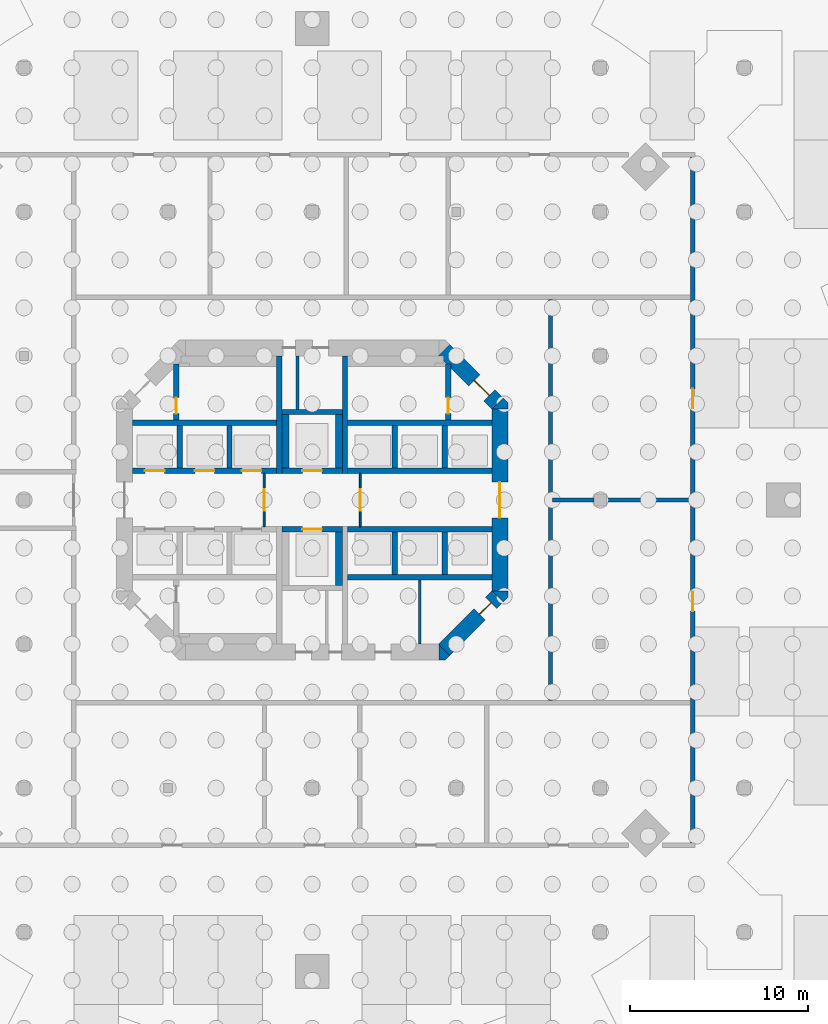
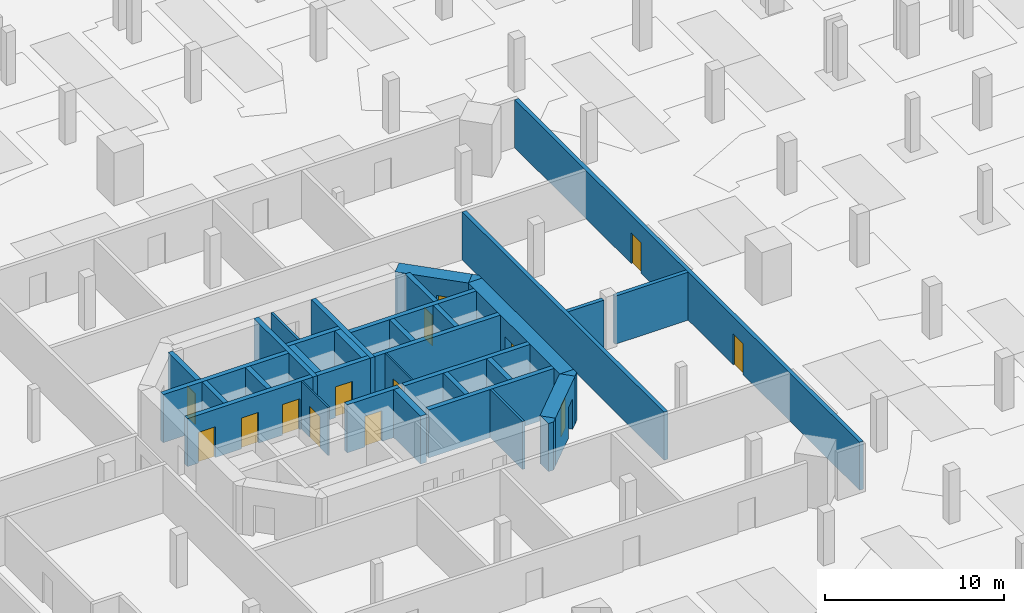
# One storey, part 14 of 23: 36 walls, 14 doors, 14 openings.
"""IFC4 building model written with IfcOpenShell, lengths in metres."""

from ifc_helpers import new_model, si_unit, direction, frame, frame_2d, origin, place, context, subcontext, project, spatial, polyline, rectangle, outline, extrude, material, layer, layer_set, type_object, element, fill, save


model = new_model("IFC4")

# Units and contexts
model_context = context("Model", 3, precision=1e-05, world=origin(), true_north=direction((0.0, 1.0)))
body_context = subcontext(model_context, "Body", "Model", "MODEL_VIEW")
ifc_project = project(units=[si_unit("LENGTHUNIT", "METRE"), si_unit("AREAUNIT", "SQUARE_METRE"), si_unit("VOLUMEUNIT", "CUBIC_METRE"), si_unit("PLANEANGLEUNIT", "RADIAN"), si_unit("MASSUNIT", "GRAM", prefix="KILO")], contexts=[model_context])

# Site, building, storey
site_placement = place(None, origin())
site = spatial("IfcSite", under=ifc_project, at=site_placement, CompositionType="ELEMENT")
building_placement = place(site_placement, origin())
building = spatial("IfcBuilding", under=site, at=building_placement, Name="Torre Triforio", CompositionType="ELEMENT")
storey_placement = place(building_placement, frame((0.0, 0.0, -10.800048828125)))
storey = spatial("IfcBuildingStorey", under=building, at=storey_placement, Name="B3", CompositionType="ELEMENT", Elevation=-10.800048828125)

# Walls
ifc_material_1 = material(Name="Concrete C60", Category="concrete")
ifc_layer_1 = layer(ifc_material_1, 0.300048828125)
ifc_layer_set_1 = layer_set([ifc_layer_1], Name="Concrete C60")
wall_type_1 = type_object("IfcWallType", Name="Core wall 300 mm C60 EI 120", PredefinedType="SHEAR", material=ifc_layer_set_1)
for number, where, z_axis, x_axis, name in (
    (1, (-1.85009765625, 1.5, 0.0), (0.0, 0.0, 1.0), (0.0, 1.0, 0.0), "Core wall"),
    (2, (1.85009765625, 1.5, 0.0), (0.0, 0.0, 1.0), (0.0, 1.0, 0.0), "Core wall"),
):
    element("IfcWall", number, at=place(storey_placement, frame(where, z_axis=z_axis, x_axis=x_axis)), inside=storey, type_object=wall_type_1, Name=name, PredefinedType="SHEAR", context=body_context, shape_type="SweptSolid", body=[
        extrude(rectangle(XDim=6.60009765625, YDim=0.300048828125, at=frame_2d((3.300048828125, 0.0))), origin(), (0.0, 0.0, 1.0), 3.280029296875),
    ])

# Wall, opening, door
ifc_layer_2 = layer(ifc_material_1, 0.89990234375)
ifc_layer_set_2 = layer_set([ifc_layer_2], Name="Concrete C60")
wall_type_2 = type_object("IfcWallType", Name="Core wall 900 mm C60 EI 120", PredefinedType="SHEAR", material=ifc_layer_set_2)
wall_1_placement = place(storey_placement, frame((10.550048828125, -5.1298828125, 0.0), z_axis=(0.0, 0.0, 1.0), x_axis=(0.0, 1.0, 0.0)))
wall_1 = element("IfcWall", 3, at=wall_1_placement, inside=storey, type_object=wall_type_2, Name="Core wall", PredefinedType="SHEAR", context=body_context, shape_type="SweptSolid", body=[
    extrude(rectangle(XDim=10.259765625, YDim=0.89990234375, at=frame_2d((5.1298828125, 0.0))), origin(), (0.0, 0.0, 1.0), 3.280029296875),
])
opening_1_placement = place(wall_1_placement, frame((4.1298828125, 0.0, 0.0)))
opening_1 = element("IfcOpeningElement", 4, at=opening_1_placement, cuts=wall_1, Name="Opening E-RING", PredefinedType="OPENING", context=body_context, shape_type="SweptSolid", body=[
    extrude(rectangle(XDim=2.0, YDim=2.10009765625, at=frame_2d((1.0, 1.050048828125))), frame((0.0, 0.4599609375, 0.0), z_axis=(0.0, -1.0, 0.0), x_axis=(1.0, 0.0, 0.0)), (0.0, 0.0, 1.0), 0.919921875),
])
ifc_material_2 = material(Name="Hollow metal fire door leaf")
door_type_1 = type_object("IfcDoorType", Name="Lobby door 2000 x 2100 EI 60", OperationType="DOUBLE_DOOR_SINGLE_SWING", PredefinedType="DOOR", material=ifc_material_2)
door_1_placement = place(opening_1_placement, origin())
door_1 = element("IfcDoor", 5, at=door_1_placement, inside=storey, type_object=door_type_1, Name="Core door E-RING", OperationType="DOUBLE_DOOR_SINGLE_SWING", OverallHeight=2.10009765625, OverallWidth=2.0, PredefinedType="DOOR", context=body_context, shape_type="SweptSolid", body=[
    extrude(rectangle(XDim=2.0, YDim=2.10009765625, at=frame_2d((1.0, 1.050048828125))), frame((0.0, 0.02490234375, 0.0), z_axis=(0.0, -1.0, 0.0), x_axis=(1.0, 0.0, 0.0)), (0.0, 0.0, 1.0), 0.050048828125),
])
fill(opening_1, door_1)

wall_2_placement = place(storey_placement, frame((7.418212890625, 8.418212890625, 0.0), z_axis=(0.0, 0.0, 1.0), x_axis=(0.707106781187, -0.707106781187, 0.0)))
wall_2 = element("IfcWall", 6, at=wall_2_placement, inside=storey, type_object=wall_type_2, Name="Core wall", PredefinedType="SHEAR", context=body_context, shape_type="SweptSolid", body=[
    extrude(rectangle(XDim=4.24267578125, YDim=0.89990234375, at=frame_2d((2.121337890625, 0.0))), origin(), (0.0, 0.0, 1.0), 3.280029296875),
])
opening_2_placement = place(wall_2_placement, frame((2.392578125, 0.0, 0.0)))
opening_2 = element("IfcOpeningElement", 7, at=opening_2_placement, cuts=wall_2, Name="Opening ST2-EXIT", PredefinedType="OPENING", context=body_context, shape_type="SweptSolid", body=[
    extrude(rectangle(XDim=1.199951171875, YDim=2.10009765625, at=frame_2d((0.60009765625, 1.050048828125))), frame((0.0, 0.4599609375, 0.0), z_axis=(0.0, -1.0, 0.0), x_axis=(1.0, 0.0, 0.0)), (0.0, 0.0, 1.0), 0.919921875),
])
door_type_2 = type_object("IfcDoorType", Name="Stair lobby door 1200 x 2100 EI 60", OperationType="NOTDEFINED", PredefinedType="DOOR", material=ifc_material_2)
door_2_placement = place(opening_2_placement, origin())
door_2 = element("IfcDoor", 8, at=door_2_placement, inside=storey, type_object=door_type_2, Name="Core door ST2-EXIT", OperationType="SINGLE_SWING_RIGHT", OverallHeight=2.10009765625, OverallWidth=1.199951171875, PredefinedType="DOOR", context=body_context, shape_type="SweptSolid", body=[
    extrude(rectangle(XDim=1.199951171875, YDim=2.10009765625, at=frame_2d((0.60009765625, 1.050048828125))), frame((0.0, 0.02490234375, 0.0), z_axis=(0.0, -1.0, 0.0), x_axis=(1.0, 0.0, 0.0)), (0.0, 0.0, 1.0), 0.050048828125),
])
fill(opening_2, door_2)

wall_3_placement = place(storey_placement, frame((10.418212890625, -5.418212890625, 0.0), z_axis=(0.0, 0.0, 1.0), x_axis=(-0.707106781187, -0.707106781187, 0.0)))
wall_3 = element("IfcWall", 9, at=wall_3_placement, inside=storey, type_object=wall_type_2, Name="Core wall", PredefinedType="SHEAR", context=body_context, shape_type="SweptSolid", body=[
    extrude(rectangle(XDim=4.24267578125, YDim=0.89990234375, at=frame_2d((2.121337890625, 0.0))), origin(), (0.0, 0.0, 1.0), 3.280029296875),
])
opening_3_placement = place(wall_3_placement, frame((0.52001953125, 0.0, 0.0)))
opening_3 = element("IfcOpeningElement", 10, at=opening_3_placement, cuts=wall_3, Name="Opening SE-02", PredefinedType="OPENING", context=body_context, shape_type="SweptSolid", body=[
    extrude(rectangle(XDim=0.89990234375, YDim=2.10009765625, at=frame_2d((0.449951171875, 1.050048828125))), frame((0.0, 0.4599609375, 0.0), z_axis=(0.0, -1.0, 0.0), x_axis=(1.0, 0.0, 0.0)), (0.0, 0.0, 1.0), 0.919921875),
])
door_type_3 = type_object("IfcDoorType", Name="Room door 900 x 2100 EI 60", OperationType="NOTDEFINED", PredefinedType="DOOR", material=ifc_material_2)
door_3_placement = place(opening_3_placement, origin())
door_3 = element("IfcDoor", 11, at=door_3_placement, inside=storey, type_object=door_type_3, Name="Core door SE-02", OperationType="SINGLE_SWING_LEFT", OverallHeight=2.10009765625, OverallWidth=0.89990234375, PredefinedType="DOOR", context=body_context, shape_type="SweptSolid", body=[
    extrude(rectangle(XDim=0.89990234375, YDim=2.10009765625, at=frame_2d((0.449951171875, 1.050048828125))), frame((0.0, 0.02490234375, 0.0), z_axis=(0.0, -1.0, 0.0), x_axis=(1.0, 0.0, 0.0)), (0.0, 0.0, 1.0), 0.050048828125),
])
fill(opening_3, door_3)

# Walls
wall_4_placement = place(storey_placement, origin())
element("IfcWall", 12, at=wall_4_placement, inside=storey, type_object=wall_type_2, Name="Core wall", PredefinedType="SHEAR", context=body_context, shape_type="SweptSolid", body=[
    extrude(outline(polyline([(7.472900390625, -9.0), (7.1298828125, -9.0), (7.1298828125, -8.1298828125), (7.736328125, -8.736328125), (7.472900390625, -9.0)])), origin(), (0.0, 0.0, 1.0), 3.280029296875),
])
wall_5_placement = place(storey_placement, origin())
element("IfcWall", 13, at=wall_5_placement, inside=storey, type_object=wall_type_2, Name="Core wall", PredefinedType="SHEAR", context=body_context, shape_type="SweptSolid", body=[
    extrude(outline(polyline([(11.0, -5.472900390625), (10.736328125, -5.736328125), (10.1298828125, -5.1298828125), (11.0, -5.1298828125), (11.0, -5.472900390625)])), origin(), (0.0, 0.0, 1.0), 3.280029296875),
])
wall_6_placement = place(storey_placement, origin())
element("IfcWall", 14, at=wall_6_placement, inside=storey, type_object=wall_type_2, Name="Core wall", PredefinedType="SHEAR", context=body_context, shape_type="SweptSolid", body=[
    extrude(outline(polyline([(11.0, 5.472900390625), (11.0, 5.1298828125), (10.1298828125, 5.1298828125), (10.736328125, 5.736328125), (11.0, 5.472900390625)])), origin(), (0.0, 0.0, 1.0), 3.280029296875),
])

# Wall, opening, door
ifc_material_3 = material(Name="Block and board partition")
ifc_layer_3 = layer(ifc_material_3, 0.10009765625)
ifc_layer_set_3 = layer_set([ifc_layer_3], Name="Block and board partition")
wall_type_3 = type_object("IfcWallType", Name="Partition 100 mm EI 120", PredefinedType="PARTITIONING", material=ifc_layer_set_3)
wall_7_placement = place(storey_placement, frame((-2.699951171875, -1.5, 0.0), z_axis=(0.0, 0.0, 1.0), x_axis=(0.0, 1.0, 0.0)))
wall_7 = element("IfcWall", 15, at=wall_7_placement, inside=storey, type_object=wall_type_3, Name="Partition", PredefinedType="PARTITIONING", context=body_context, shape_type="SweptSolid", body=[
    extrude(rectangle(XDim=3.0, YDim=0.10009765625, at=frame_2d((1.5, 0.0))), origin(), (0.0, 0.0, 1.0), 3.280029296875),
])
opening_4_placement = place(wall_7_placement, frame((0.89990234375, 0.0, 0.0)))
opening_4 = element("IfcOpeningElement", 16, at=opening_4_placement, cuts=wall_7, Name="Opening FF-W", PredefinedType="OPENING", context=body_context, shape_type="SweptSolid", body=[
    extrude(rectangle(XDim=1.199951171875, YDim=2.10009765625, at=frame_2d((0.60009765625, 1.050048828125))), frame((0.0, 0.06005859375, 0.0), z_axis=(0.0, -1.0, 0.0), x_axis=(1.0, 0.0, 0.0)), (0.0, 0.0, 1.0), 0.1201171875),
])
door_type_4 = type_object("IfcDoorType", Name="Fire-fighting lobby door 1200 x 2100 EI 60", OperationType="NOTDEFINED", PredefinedType="DOOR", material=ifc_material_2)
door_4_placement = place(opening_4_placement, origin())
door_4 = element("IfcDoor", 17, at=door_4_placement, inside=storey, type_object=door_type_4, Name="Core door FF-W", OperationType="SINGLE_SWING_RIGHT", OverallHeight=2.10009765625, OverallWidth=1.199951171875, PredefinedType="DOOR", context=body_context, shape_type="SweptSolid", body=[
    extrude(rectangle(XDim=1.199951171875, YDim=2.10009765625, at=frame_2d((0.60009765625, 1.050048828125))), frame((0.0, 0.02490234375, 0.0), z_axis=(0.0, -1.0, 0.0), x_axis=(1.0, 0.0, 0.0)), (0.0, 0.0, 1.0), 0.050048828125),
])
fill(opening_4, door_4)

wall_8_placement = place(storey_placement, frame((2.699951171875, -1.5, 0.0), z_axis=(0.0, 0.0, 1.0), x_axis=(0.0, 1.0, 0.0)))
wall_8 = element("IfcWall", 18, at=wall_8_placement, inside=storey, type_object=wall_type_3, Name="Partition", PredefinedType="PARTITIONING", context=body_context, shape_type="SweptSolid", body=[
    extrude(rectangle(XDim=3.0, YDim=0.10009765625, at=frame_2d((1.5, 0.0))), origin(), (0.0, 0.0, 1.0), 3.280029296875),
])
opening_5_placement = place(wall_8_placement, frame((0.89990234375, 0.0, 0.0)))
opening_5 = element("IfcOpeningElement", 19, at=opening_5_placement, cuts=wall_8, Name="Opening FF-E", PredefinedType="OPENING", context=body_context, shape_type="SweptSolid", body=[
    extrude(rectangle(XDim=1.199951171875, YDim=2.10009765625, at=frame_2d((0.60009765625, 1.050048828125))), frame((0.0, 0.06005859375, 0.0), z_axis=(0.0, -1.0, 0.0), x_axis=(1.0, 0.0, 0.0)), (0.0, 0.0, 1.0), 0.1201171875),
])
door_5_placement = place(opening_5_placement, origin())
door_5 = element("IfcDoor", 20, at=door_5_placement, inside=storey, type_object=door_type_4, Name="Core door FF-E", OperationType="SINGLE_SWING_LEFT", OverallHeight=2.10009765625, OverallWidth=1.199951171875, PredefinedType="DOOR", context=body_context, shape_type="SweptSolid", body=[
    extrude(rectangle(XDim=1.199951171875, YDim=2.10009765625, at=frame_2d((0.60009765625, 1.050048828125))), frame((0.0, 0.02490234375, 0.0), z_axis=(0.0, -1.0, 0.0), x_axis=(1.0, 0.0, 0.0)), (0.0, 0.0, 1.0), 0.050048828125),
])
fill(opening_5, door_5)

# Walls
ifc_layer_4 = layer(ifc_material_3, 0.14990234375)
ifc_layer_set_4 = layer_set([ifc_layer_4], Name="Block and board partition")
wall_type_4 = type_object("IfcWallType", Name="Partition 150 mm", PredefinedType="PARTITIONING", material=ifc_layer_set_4)
wall_9_placement = place(storey_placement, frame((6.050048828125, -8.10009765625, 0.0), z_axis=(0.0, 0.0, 1.0), x_axis=(0.0, 1.0, 0.0)))
element("IfcWall", 21, at=wall_9_placement, inside=storey, type_object=wall_type_4, Name="Partition", PredefinedType="PARTITIONING", context=body_context, shape_type="SweptSolid", body=[
    extrude(rectangle(XDim=3.60009765625, YDim=0.14990234375, at=frame_2d((1.800048828125, 0.0))), origin(), (0.0, 0.0, 1.0), 3.280029296875),
])
ifc_layer_5 = layer(ifc_material_3, 0.14990234375)
ifc_layer_set_5 = layer_set([ifc_layer_5], Name="Block and board partition")
wall_type_5 = type_object("IfcWallType", Name="Partition 150 mm EI 120", PredefinedType="PARTITIONING", material=ifc_layer_set_5)
wall_10_placement = place(storey_placement, frame((-0.824951171875, 5.10009765625, 0.0), z_axis=(0.0, 0.0, 1.0), x_axis=(0.0, 1.0, 0.0)))
element("IfcWall", 22, at=wall_10_placement, inside=storey, type_object=wall_type_5, Name="Partition", PredefinedType="PARTITIONING", context=body_context, shape_type="SweptSolid", body=[
    extrude(rectangle(XDim=3.0, YDim=0.14990234375, at=frame_2d((1.5, 0.0))), origin(), (0.0, 0.0, 1.0), 3.280029296875),
])
ifc_material_4 = material(Name="Masonry block", Category="masonry")
ifc_layer_6 = layer(ifc_material_4, 0.25)
ifc_layer_set_6 = layer_set([ifc_layer_6], Name="Masonry block")
wall_type_6 = type_object("IfcWallType", Name="Plant room wall 250 EI 120", PredefinedType="PARTITIONING", material=ifc_layer_set_6)
wall_11_placement = place(storey_placement, frame((13.52490234375, 0.0, 0.0), z_axis=(0.0, 0.0, 1.0), x_axis=(1.0, 0.0, 0.0)))
element("IfcWall", 23, at=wall_11_placement, inside=storey, type_object=wall_type_6, Name="Plant room wall B3 017", PredefinedType="PARTITIONING", context=body_context, shape_type="SweptSolid", body=[
    extrude(rectangle(XDim=2.315185546875, YDim=0.25, at=frame_2d((1.15771484375, 0.0))), origin(), (0.0, 0.0, 1.0), 3.280029296875),
])
wall_12_placement = place(storey_placement, frame((16.56005859375, 0.0, 0.0), z_axis=(0.0, 0.0, 1.0), x_axis=(1.0, 0.0, 0.0)))
element("IfcWall", 24, at=wall_12_placement, inside=storey, type_object=wall_type_6, Name="Plant room wall B3 018", PredefinedType="PARTITIONING", context=body_context, shape_type="SweptSolid", body=[
    extrude(rectangle(XDim=4.71484375, YDim=0.25, at=frame_2d((2.357421875, 0.0))), origin(), (0.0, 0.0, 1.0), 3.280029296875),
])
wall_13_placement = place(storey_placement, frame((13.39990234375, -11.27490234375, 0.0), z_axis=(0.0, 0.0, 1.0), x_axis=(0.0, 1.0, 0.0)))
element("IfcWall", 25, at=wall_13_placement, inside=storey, type_object=wall_type_6, Name="Plant room wall B3 019", PredefinedType="PARTITIONING", context=body_context, shape_type="SweptSolid", body=[
    extrude(rectangle(XDim=22.5498046875, YDim=0.25, at=frame_2d((11.27490234375, 0.0))), origin(), (0.0, 0.0, 1.0), 3.280029296875),
])

# Wall, openings, doors
wall_14_placement = place(storey_placement, frame((21.39990234375, -19.27490234375, 0.0), z_axis=(0.0, 0.0, 1.0), x_axis=(0.0, 1.0, 0.0)))
wall_14 = element("IfcWall", 26, at=wall_14_placement, inside=storey, type_object=wall_type_6, Name="Plant room wall B3 030", PredefinedType="PARTITIONING", context=body_context, shape_type="SweptSolid", body=[
    extrude(rectangle(XDim=38.5498046875, YDim=0.25, at=frame_2d((19.27490234375, 0.0))), origin(), (0.0, 0.0, 1.0), 3.280029296875),
])
opening_6_placement = place(wall_14_placement, frame((13.02490234375, 0.0, 0.0)))
opening_6 = element("IfcOpeningElement", 27, at=opening_6_placement, cuts=wall_14, Name="Opening BS3-13", PredefinedType="OPENING", context=body_context, shape_type="SweptSolid", body=[
    extrude(rectangle(XDim=1.10009765625, YDim=2.10009765625, at=frame_2d((0.550048828125, 1.050048828125))), frame((0.0, 0.135009765625, 0.0), z_axis=(0.0, -1.0, 0.0), x_axis=(1.0, 0.0, 0.0)), (0.0, 0.0, 1.0), 0.27001953125),
])
opening_7_placement = place(wall_14_placement, frame((24.425048828125, 0.0, 0.0)))
opening_7 = element("IfcOpeningElement", 28, at=opening_7_placement, cuts=wall_14, Name="Opening BS3-14", PredefinedType="OPENING", context=body_context, shape_type="SweptSolid", body=[
    extrude(rectangle(XDim=1.10009765625, YDim=2.10009765625, at=frame_2d((0.550048828125, 1.050048828125))), frame((0.0, 0.135009765625, 0.0), z_axis=(0.0, -1.0, 0.0), x_axis=(1.0, 0.0, 0.0)), (0.0, 0.0, 1.0), 0.27001953125),
])
door_type_5 = type_object("IfcDoorType", Name="Plant room door 1100 x 2100 EI 60", OperationType="NOTDEFINED", PredefinedType="DOOR", material=ifc_material_2)
door_6_placement = place(opening_6_placement, origin())
door_6 = element("IfcDoor", 29, at=door_6_placement, inside=storey, type_object=door_type_5, Name="Door BS3-13", OperationType="SINGLE_SWING_LEFT", OverallHeight=2.10009765625, OverallWidth=1.10009765625, PredefinedType="DOOR", context=body_context, shape_type="SweptSolid", body=[
    extrude(rectangle(XDim=1.10009765625, YDim=2.10009765625, at=frame_2d((0.550048828125, 1.050048828125))), frame((0.0, 0.02490234375, 0.0), z_axis=(0.0, -1.0, 0.0), x_axis=(1.0, 0.0, 0.0)), (0.0, 0.0, 1.0), 0.050048828125),
])
fill(opening_6, door_6)
door_7_placement = place(opening_7_placement, origin())
door_7 = element("IfcDoor", 30, at=door_7_placement, inside=storey, type_object=door_type_5, Name="Door BS3-14", OperationType="SINGLE_SWING_LEFT", OverallHeight=2.10009765625, OverallWidth=1.10009765625, PredefinedType="DOOR", context=body_context, shape_type="SweptSolid", body=[
    extrude(rectangle(XDim=1.10009765625, YDim=2.10009765625, at=frame_2d((0.550048828125, 1.050048828125))), frame((0.0, 0.02490234375, 0.0), z_axis=(0.0, -1.0, 0.0), x_axis=(1.0, 0.0, 0.0)), (0.0, 0.0, 1.0), 0.050048828125),
])
fill(opening_7, door_7)

# Walls
ifc_layer_7 = layer(ifc_material_1, 0.300048828125)
ifc_layer_set_7 = layer_set([ifc_layer_7], Name="Concrete C60")
wall_type_7 = type_object("IfcWallType", Name="Shaft wall 300 mm C60 EI 120", PredefinedType="SOLIDWALL", material=ifc_layer_set_7)
for number, where, z_axis, x_axis, name in (
    (31, (-10.10009765625, 4.35009765625, 0.0), (0.0, 0.0, 1.0), (1.0, 0.0, 0.0), "Shaft wall"),
    (32, (2.0, 4.35009765625, 0.0), (0.0, 0.0, 1.0), (1.0, 0.0, 0.0), "Shaft wall"),
    (33, (2.0, -4.35009765625, 0.0), (0.0, 0.0, 1.0), (1.0, 0.0, 0.0), "Shaft wall"),
):
    element("IfcWall", number, at=place(storey_placement, frame(where, z_axis=z_axis, x_axis=x_axis)), inside=storey, type_object=wall_type_7, Name=name, PredefinedType="SOLIDWALL", context=body_context, shape_type="SweptSolid", body=[
        extrude(rectangle(XDim=8.10009765625, YDim=0.300048828125, at=frame_2d((4.050048828125, 0.0))), origin(), (0.0, 0.0, 1.0), 3.280029296875),
    ])

# Wall, openings, doors
wall_15_placement = place(storey_placement, frame((-10.10009765625, 1.64990234375, 0.0), z_axis=(0.0, 0.0, 1.0), x_axis=(1.0, 0.0, 0.0)))
wall_15 = element("IfcWall", 34, at=wall_15_placement, inside=storey, type_object=wall_type_7, Name="Shaft wall", PredefinedType="SOLIDWALL", context=body_context, shape_type="SweptSolid", body=[
    extrude(rectangle(XDim=8.10009765625, YDim=0.300048828125, at=frame_2d((4.050048828125, 0.0))), origin(), (0.0, 0.0, 1.0), 3.280029296875),
])
opening_8_placement = place(wall_15_placement, frame((0.699951171875, 0.0, 0.0)))
opening_8 = element("IfcOpeningElement", 35, at=opening_8_placement, cuts=wall_15, Name="Opening LD", PredefinedType="OPENING", context=body_context, shape_type="SweptSolid", body=[
    extrude(rectangle(XDim=1.10009765625, YDim=2.10009765625, at=frame_2d((0.550048828125, 1.050048828125))), frame((0.0, 0.159912109375, 0.0), z_axis=(0.0, -1.0, 0.0), x_axis=(1.0, 0.0, 0.0)), (0.0, 0.0, 1.0), 0.320068359375),
])
opening_9_placement = place(wall_15_placement, frame((3.5, 0.0, 0.0)))
opening_9 = element("IfcOpeningElement", 36, at=opening_9_placement, cuts=wall_15, Name="Opening LD", PredefinedType="OPENING", context=body_context, shape_type="SweptSolid", body=[
    extrude(rectangle(XDim=1.10009765625, YDim=2.10009765625, at=frame_2d((0.550048828125, 1.050048828125))), frame((0.0, 0.159912109375, 0.0), z_axis=(0.0, -1.0, 0.0), x_axis=(1.0, 0.0, 0.0)), (0.0, 0.0, 1.0), 0.320068359375),
])
opening_10_placement = place(wall_15_placement, frame((6.14990234375, 0.0, 0.0)))
opening_10 = element("IfcOpeningElement", 37, at=opening_10_placement, cuts=wall_15, Name="Opening LD", PredefinedType="OPENING", context=body_context, shape_type="SweptSolid", body=[
    extrude(rectangle(XDim=1.10009765625, YDim=2.10009765625, at=frame_2d((0.550048828125, 1.050048828125))), frame((0.0, 0.159912109375, 0.0), z_axis=(0.0, -1.0, 0.0), x_axis=(1.0, 0.0, 0.0)), (0.0, 0.0, 1.0), 0.320068359375),
])
door_type_6 = type_object("IfcDoorType", Name="Landing door 1100 x 2100 EI 60", OperationType="DOUBLE_DOOR_SLIDING", PredefinedType="DOOR", material=ifc_material_2)
door_8_placement = place(opening_8_placement, origin())
door_8 = element("IfcDoor", 38, at=door_8_placement, inside=storey, type_object=door_type_6, Name="Landing door LR1", OperationType="DOUBLE_DOOR_SLIDING", OverallHeight=2.10009765625, OverallWidth=1.10009765625, PredefinedType="DOOR", context=body_context, shape_type="SweptSolid", body=[
    extrude(rectangle(XDim=1.10009765625, YDim=2.10009765625, at=frame_2d((0.550048828125, 1.050048828125))), frame((0.0, 0.02490234375, 0.0), z_axis=(0.0, -1.0, 0.0), x_axis=(1.0, 0.0, 0.0)), (0.0, 0.0, 1.0), 0.050048828125),
])
fill(opening_8, door_8)
door_9_placement = place(opening_9_placement, origin())
door_9 = element("IfcDoor", 39, at=door_9_placement, inside=storey, type_object=door_type_6, Name="Landing door LR2", OperationType="DOUBLE_DOOR_SLIDING", OverallHeight=2.10009765625, OverallWidth=1.10009765625, PredefinedType="DOOR", context=body_context, shape_type="SweptSolid", body=[
    extrude(rectangle(XDim=1.10009765625, YDim=2.10009765625, at=frame_2d((0.550048828125, 1.050048828125))), frame((0.0, 0.02490234375, 0.0), z_axis=(0.0, -1.0, 0.0), x_axis=(1.0, 0.0, 0.0)), (0.0, 0.0, 1.0), 0.050048828125),
])
fill(opening_9, door_9)
door_10_placement = place(opening_10_placement, origin())
door_10 = element("IfcDoor", 40, at=door_10_placement, inside=storey, type_object=door_type_6, Name="Landing door LR3", OperationType="DOUBLE_DOOR_SLIDING", OverallHeight=2.10009765625, OverallWidth=1.10009765625, PredefinedType="DOOR", context=body_context, shape_type="SweptSolid", body=[
    extrude(rectangle(XDim=1.10009765625, YDim=2.10009765625, at=frame_2d((0.550048828125, 1.050048828125))), frame((0.0, 0.02490234375, 0.0), z_axis=(0.0, -1.0, 0.0), x_axis=(1.0, 0.0, 0.0)), (0.0, 0.0, 1.0), 0.050048828125),
])
fill(opening_10, door_10)

# Walls
for number, where, z_axis, x_axis, name in (
    (41, (2.0, 1.64990234375, 0.0), (0.0, 0.0, 1.0), (1.0, 0.0, 0.0), "Shaft wall"),
    (42, (2.0, -1.64990234375, 0.0), (0.0, 0.0, 1.0), (1.0, 0.0, 0.0), "Shaft wall"),
):
    element("IfcWall", number, at=place(storey_placement, frame(where, z_axis=z_axis, x_axis=x_axis)), inside=storey, type_object=wall_type_7, Name=name, PredefinedType="SOLIDWALL", context=body_context, shape_type="SweptSolid", body=[
        extrude(rectangle(XDim=8.10009765625, YDim=0.300048828125, at=frame_2d((4.050048828125, 0.0))), origin(), (0.0, 0.0, 1.0), 3.280029296875),
    ])
for number, where, z_axis, x_axis, name in (
    (43, (-7.449951171875, 1.800048828125, 0.0), (0.0, 0.0, 1.0), (0.0, 1.0, 0.0), "Shaft wall"),
    (44, (-4.64990234375, 1.800048828125, 0.0), (0.0, 0.0, 1.0), (0.0, 1.0, 0.0), "Shaft wall"),
    (45, (4.64990234375, 1.800048828125, 0.0), (0.0, 0.0, 1.0), (0.0, 1.0, 0.0), "Shaft wall"),
    (46, (4.64990234375, -4.199951171875, 0.0), (0.0, 0.0, 1.0), (0.0, 1.0, 0.0), "Shaft wall"),
    (47, (7.449951171875, 1.800048828125, 0.0), (0.0, 0.0, 1.0), (0.0, 1.0, 0.0), "Shaft wall"),
    (48, (7.449951171875, -4.199951171875, 0.0), (0.0, 0.0, 1.0), (0.0, 1.0, 0.0), "Shaft wall"),
):
    element("IfcWall", number, at=place(storey_placement, frame(where, z_axis=z_axis, x_axis=x_axis)), inside=storey, type_object=wall_type_7, Name=name, PredefinedType="SOLIDWALL", context=body_context, shape_type="SweptSolid", body=[
        extrude(rectangle(XDim=2.39990234375, YDim=0.300048828125, at=frame_2d((1.199951171875, 0.0))), origin(), (0.0, 0.0, 1.0), 3.280029296875),
    ])

# Wall, opening, door
wall_16_placement = place(storey_placement, frame((-1.699951171875, 1.64990234375, 0.0), z_axis=(0.0, 0.0, 1.0), x_axis=(1.0, 0.0, 0.0)))
wall_16 = element("IfcWall", 49, at=wall_16_placement, inside=storey, type_object=wall_type_7, Name="Shaft wall", PredefinedType="SOLIDWALL", context=body_context, shape_type="SweptSolid", body=[
    extrude(rectangle(XDim=3.39990234375, YDim=0.300048828125, at=frame_2d((1.699951171875, 0.0))), origin(), (0.0, 0.0, 1.0), 3.280029296875),
])
opening_11_placement = place(wall_16_placement, frame((1.14990234375, 0.0, 0.0)))
opening_11 = element("IfcOpeningElement", 50, at=opening_11_placement, cuts=wall_16, Name="Opening LD", PredefinedType="OPENING", context=body_context, shape_type="SweptSolid", body=[
    extrude(rectangle(XDim=1.10009765625, YDim=2.10009765625, at=frame_2d((0.550048828125, 1.050048828125))), frame((0.0, 0.159912109375, 0.0), z_axis=(0.0, -1.0, 0.0), x_axis=(1.0, 0.0, 0.0)), (0.0, 0.0, 1.0), 0.320068359375),
])
door_11_placement = place(opening_11_placement, origin())
door_11 = element("IfcDoor", 51, at=door_11_placement, inside=storey, type_object=door_type_6, Name="Landing door FFL1", OperationType="DOUBLE_DOOR_SLIDING", OverallHeight=2.10009765625, OverallWidth=1.10009765625, PredefinedType="DOOR", context=body_context, shape_type="SweptSolid", body=[
    extrude(rectangle(XDim=1.10009765625, YDim=2.10009765625, at=frame_2d((0.550048828125, 1.050048828125))), frame((0.0, 0.02490234375, 0.0), z_axis=(0.0, -1.0, 0.0), x_axis=(1.0, 0.0, 0.0)), (0.0, 0.0, 1.0), 0.050048828125),
])
fill(opening_11, door_11)

wall_17_placement = place(storey_placement, frame((-1.699951171875, -1.64990234375, 0.0), z_axis=(0.0, 0.0, 1.0), x_axis=(1.0, 0.0, 0.0)))
wall_17 = element("IfcWall", 52, at=wall_17_placement, inside=storey, type_object=wall_type_7, Name="Shaft wall", PredefinedType="SOLIDWALL", context=body_context, shape_type="SweptSolid", body=[
    extrude(rectangle(XDim=3.39990234375, YDim=0.300048828125, at=frame_2d((1.699951171875, 0.0))), origin(), (0.0, 0.0, 1.0), 3.280029296875),
])
opening_12_placement = place(wall_17_placement, frame((1.14990234375, 0.0, 0.0)))
opening_12 = element("IfcOpeningElement", 53, at=opening_12_placement, cuts=wall_17, Name="Opening LD", PredefinedType="OPENING", context=body_context, shape_type="SweptSolid", body=[
    extrude(rectangle(XDim=1.10009765625, YDim=2.10009765625, at=frame_2d((0.550048828125, 1.050048828125))), frame((0.0, 0.159912109375, 0.0), z_axis=(0.0, -1.0, 0.0), x_axis=(1.0, 0.0, 0.0)), (0.0, 0.0, 1.0), 0.320068359375),
])
door_12_placement = place(opening_12_placement, origin())
door_12 = element("IfcDoor", 54, at=door_12_placement, inside=storey, type_object=door_type_6, Name="Landing door FFL2", OperationType="DOUBLE_DOOR_SLIDING", OverallHeight=2.10009765625, OverallWidth=1.10009765625, PredefinedType="DOOR", context=body_context, shape_type="SweptSolid", body=[
    extrude(rectangle(XDim=1.10009765625, YDim=2.10009765625, at=frame_2d((0.550048828125, 1.050048828125))), frame((0.0, 0.02490234375, 0.0), z_axis=(0.0, -1.0, 0.0), x_axis=(1.0, 0.0, 0.0)), (0.0, 0.0, 1.0), 0.050048828125),
])
fill(opening_12, door_12)

# Walls
wall_18_placement = place(storey_placement, frame((-1.699951171875, 4.949951171875, 0.0), z_axis=(0.0, 0.0, 1.0), x_axis=(1.0, 0.0, 0.0)))
element("IfcWall", 55, at=wall_18_placement, inside=storey, type_object=wall_type_7, Name="Shaft wall", PredefinedType="SOLIDWALL", context=body_context, shape_type="SweptSolid", body=[
    extrude(rectangle(XDim=3.39990234375, YDim=0.300048828125, at=frame_2d((1.699951171875, 0.0))), origin(), (0.0, 0.0, 1.0), 3.280029296875),
])
ifc_layer_8 = layer(ifc_material_1, 0.39990234375)
ifc_layer_set_8 = layer_set([ifc_layer_8], Name="Concrete C60")
wall_type_8 = type_object("IfcWallType", Name="Shaft wall 400 mm C60 EI 120", PredefinedType="SOLIDWALL", material=ifc_layer_set_8)
for number, where, z_axis, x_axis, name in (
    (56, (-1.5, 1.800048828125, 0.0), (0.0, 0.0, 1.0), (0.0, 1.0, 0.0), "Shaft wall"),
    (57, (1.5, 1.800048828125, 0.0), (0.0, 0.0, 1.0), (0.0, 1.0, 0.0), "Shaft wall"),
    (58, (1.5, -4.800048828125, 0.0), (0.0, 0.0, 1.0), (0.0, 1.0, 0.0), "Shaft wall"),
):
    element("IfcWall", number, at=place(storey_placement, frame(where, z_axis=z_axis, x_axis=x_axis)), inside=storey, type_object=wall_type_8, Name=name, PredefinedType="SOLIDWALL", context=body_context, shape_type="SweptSolid", body=[
        extrude(rectangle(XDim=3.0, YDim=0.39990234375, at=frame_2d((1.5, 0.0))), origin(), (0.0, 0.0, 1.0), 3.280029296875),
    ])

# Wall, opening, door
ifc_layer_9 = layer(ifc_material_1, 0.300048828125)
ifc_layer_set_9 = layer_set([ifc_layer_9], Name="Concrete C60")
wall_type_9 = type_object("IfcWallType", Name="Stair wall 300 mm C60 EI 120", PredefinedType="SHEAR", material=ifc_layer_set_9)
wall_19_placement = place(storey_placement, frame((-7.64990234375, 4.5, 0.0), z_axis=(0.0, 0.0, 1.0), x_axis=(0.0, 1.0, 0.0)))
wall_19 = element("IfcWall", 59, at=wall_19_placement, inside=storey, type_object=wall_type_9, Name="Stair wall", PredefinedType="SHEAR", context=body_context, shape_type="SweptSolid", body=[
    extrude(rectangle(XDim=3.139892578125, YDim=0.300048828125, at=frame_2d((1.56982421875, 0.0))), origin(), (0.0, 0.0, 1.0), 3.280029296875),
])
opening_13_placement = place(wall_19_placement, frame((0.35009765625, 0.0, 0.0)))
opening_13 = element("IfcOpeningElement", 60, at=opening_13_placement, cuts=wall_19, Name="Opening ST1-ST", PredefinedType="OPENING", context=body_context, shape_type="SweptSolid", body=[
    extrude(rectangle(XDim=0.89990234375, YDim=2.10009765625, at=frame_2d((0.449951171875, 1.050048828125))), frame((0.0, 0.159912109375, 0.0), z_axis=(0.0, -1.0, 0.0), x_axis=(1.0, 0.0, 0.0)), (0.0, 0.0, 1.0), 0.320068359375),
])
door_type_7 = type_object("IfcDoorType", Name="Fan room door 900 x 2100 EI 60", OperationType="NOTDEFINED", PredefinedType="DOOR", material=ifc_material_2)
door_13_placement = place(opening_13_placement, origin())
door_13 = element("IfcDoor", 61, at=door_13_placement, inside=storey, type_object=door_type_7, Name="Core door ST1-ST", OperationType="SINGLE_SWING_LEFT", OverallHeight=2.10009765625, OverallWidth=0.89990234375, PredefinedType="DOOR", context=body_context, shape_type="SweptSolid", body=[
    extrude(rectangle(XDim=0.89990234375, YDim=2.10009765625, at=frame_2d((0.449951171875, 1.050048828125))), frame((0.0, 0.02490234375, 0.0), z_axis=(0.0, -1.0, 0.0), x_axis=(1.0, 0.0, 0.0)), (0.0, 0.0, 1.0), 0.050048828125),
])
fill(opening_13, door_13)

wall_20_placement = place(storey_placement, frame((7.64990234375, 4.5, 0.0), z_axis=(0.0, 0.0, 1.0), x_axis=(0.0, 1.0, 0.0)))
wall_20 = element("IfcWall", 62, at=wall_20_placement, inside=storey, type_object=wall_type_9, Name="Stair wall", PredefinedType="SHEAR", context=body_context, shape_type="SweptSolid", body=[
    extrude(rectangle(XDim=3.139892578125, YDim=0.300048828125, at=frame_2d((1.56982421875, 0.0))), origin(), (0.0, 0.0, 1.0), 3.280029296875),
])
opening_14_placement = place(wall_20_placement, frame((0.35009765625, 0.0, 0.0)))
opening_14 = element("IfcOpeningElement", 63, at=opening_14_placement, cuts=wall_20, Name="Opening ST2-ST", PredefinedType="OPENING", context=body_context, shape_type="SweptSolid", body=[
    extrude(rectangle(XDim=0.89990234375, YDim=2.10009765625, at=frame_2d((0.449951171875, 1.050048828125))), frame((0.0, 0.159912109375, 0.0), z_axis=(0.0, -1.0, 0.0), x_axis=(1.0, 0.0, 0.0)), (0.0, 0.0, 1.0), 0.320068359375),
])
door_14_placement = place(opening_14_placement, origin())
door_14 = element("IfcDoor", 64, at=door_14_placement, inside=storey, type_object=door_type_7, Name="Core door ST2-ST", OperationType="SINGLE_SWING_RIGHT", OverallHeight=2.10009765625, OverallWidth=0.89990234375, PredefinedType="DOOR", context=body_context, shape_type="SweptSolid", body=[
    extrude(rectangle(XDim=0.89990234375, YDim=2.10009765625, at=frame_2d((0.449951171875, 1.050048828125))), frame((0.0, 0.02490234375, 0.0), z_axis=(0.0, -1.0, 0.0), x_axis=(1.0, 0.0, 0.0)), (0.0, 0.0, 1.0), 0.050048828125),
])
fill(opening_14, door_14)

save(model, "model.ifc")
